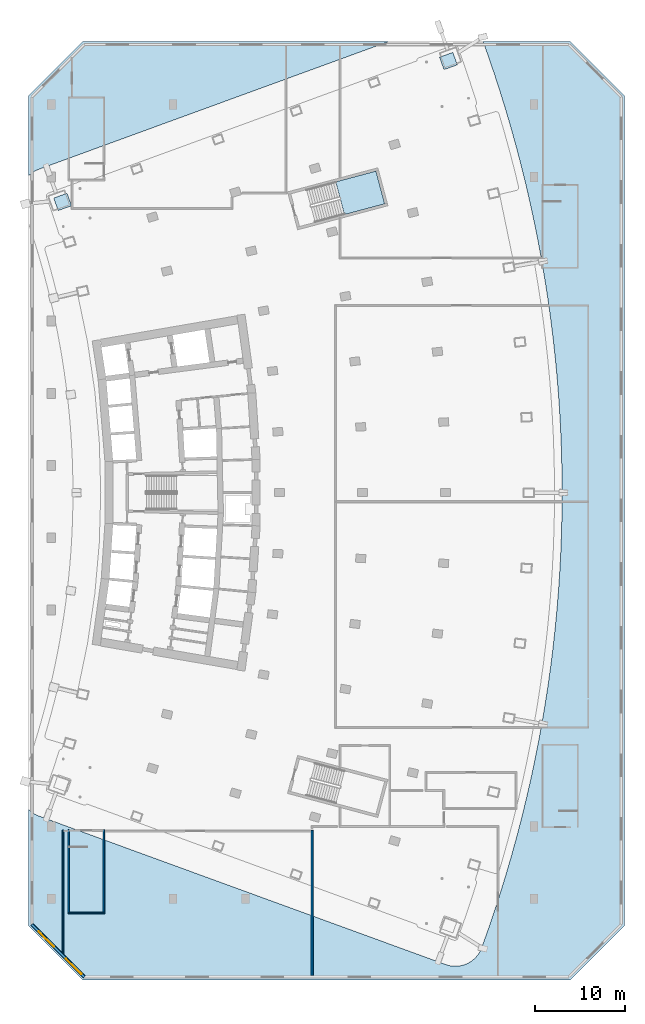
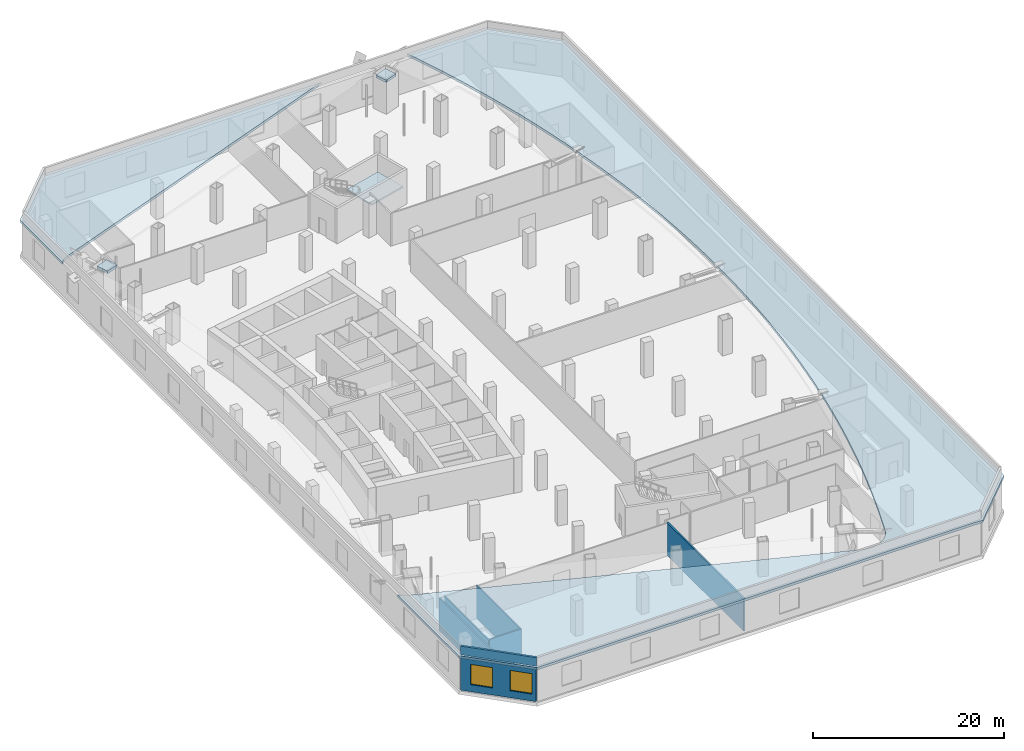
# One storey, part 11 of 19: 7 walls, 5 slabs, 2 windows, 2 openings, 1 element without a shape of its own.
"""IFC4 building model written with IfcOpenShell, lengths in metres."""

from ifc_helpers import new_model, si_unit, direction, frame, frame_2d, origin, place, context, subcontext, project, spatial, polyline, rectangle, outline, extrude, material, layer, layer_set, type_object, element, fill, aggregate, save


model = new_model("IFC4")

# Units and contexts
model_context = context("Model", 3, precision=1e-05, world=origin(), true_north=direction((0.0, 1.0)))
body_context = subcontext(model_context, "Body", "Model", "MODEL_VIEW")
ifc_project = project(units=[si_unit("LENGTHUNIT", "METRE"), si_unit("AREAUNIT", "SQUARE_METRE"), si_unit("VOLUMEUNIT", "CUBIC_METRE"), si_unit("PLANEANGLEUNIT", "RADIAN"), si_unit("MASSUNIT", "GRAM", prefix="KILO")], contexts=[model_context])

# Site, building, storey
site_placement = place(None, origin())
site = spatial("IfcSite", under=ifc_project, at=site_placement, CompositionType="ELEMENT")
building_placement = place(site_placement, origin())
building = spatial("IfcBuilding", under=site, at=building_placement, Name="Alderwake Tower", CompositionType="ELEMENT")
storey_placement = place(building_placement, frame((0.0, 0.0, 27.5)))
storey = spatial("IfcBuildingStorey", under=building, at=storey_placement, Name="L05", CompositionType="ELEMENT", Elevation=27.5)

# Slabs
ifc_material_1 = material(Name="Concrete C50/60", Category="concrete")
ifc_layer_1 = layer(ifc_material_1, 0.320068359375)
ifc_layer_set_1 = layer_set([ifc_layer_1], Name="Concrete C50/60 roof slab 320")
slab_type_1 = type_object("IfcSlabType", Name="Concrete C50/60 roof slab 320", PredefinedType="ROOF", material=ifc_layer_set_1)
slab_1_placement = place(storey_placement, frame((0.0, 0.0, 4.179931640625)))
element("IfcSlab", 1, at=slab_1_placement, inside=storey, type_object=slab_type_1, Name="Roof slab L05 1", PredefinedType="ROOF", context=body_context, shape_type="SweptSolid", body=[
    extrude(outline(polyline([(74.0, 105.0), (74.0, 13.0), (68.0, 7.0), (14.0, 7.0), (8.0, 13.0), (8.0, 25.882568359375), (8.08740234375, 25.79443359375), (8.320556640625, 25.601318359375), (8.571533203125, 25.431640625), (8.837890625, 25.287353515625), (9.11669921875, 25.169921875), (54.206787109375, 8.710693359375), (54.49853515625, 8.6201171875), (54.798095703125, 8.558837890625), (55.10205078125, 8.52734375), (55.40771484375, 8.52587890625), (55.7119140625, 8.554443359375), (56.011962890625, 8.61279296875), (56.3046875, 8.70068359375), (56.58740234375, 8.816650390625), (56.857421875, 8.960205078125), (57.11181640625, 9.12939453125), (57.348388671875, 9.322998046875), (57.564697265625, 9.538818359375), (57.7587890625, 9.77490234375), (57.9287109375, 10.029052734375), (58.072509765625, 10.298583984375), (58.189453125, 10.5810546875), (58.89501953125, 12.558837890625), (58.909912109375, 12.6015625), (59.586669921875, 14.589599609375), (59.60107421875, 14.63232421875), (60.248779296875, 16.6298828125), (60.26220703125, 16.673095703125), (60.880859375, 18.679931640625), (60.893798828125, 18.72314453125), (61.48291015625, 20.739013671875), (61.495361328125, 20.782470703125), (62.054931640625, 22.806396484375), (62.06689453125, 22.85009765625), (62.596923828125, 24.882080078125), (62.60791015625, 24.92578125), (63.1083984375, 26.96533203125), (63.118896484375, 27.00927734375), (63.589599609375, 29.055908203125), (63.599365234375, 29.10009765625), (64.0400390625, 31.1533203125), (64.04931640625, 31.197509765625), (64.4599609375, 33.2568359375), (64.468505859375, 33.30126953125), (64.849365234375, 35.366455078125), (64.857177734375, 35.410888671875), (65.207763671875, 37.4814453125), (65.21484375, 37.526123046875), (65.53515625, 39.6015625), (65.541748046875, 39.646240234375), (65.831787109375, 41.72607421875), (65.837646484375, 41.77099609375), (66.097412109375, 43.854736328125), (66.1025390625, 43.899658203125), (66.331787109375, 45.987060546875), (66.33642578125, 46.031982421875), (66.53515625, 48.122802734375), (66.5390625, 48.167724609375), (66.70751953125, 50.260986328125), (66.710693359375, 50.305908203125), (66.848388671875, 52.401611328125), (66.85107421875, 52.446533203125), (66.958251953125, 54.543701171875), (66.960205078125, 54.589111328125), (67.03662109375, 56.6875), (67.0380859375, 56.73291015625), (67.083984375, 58.832275390625), (67.084716796875, 58.87744140625), (67.099853515625, 60.977294921875), (67.099853515625, 61.022705078125), (67.084716796875, 63.12255859375), (67.083984375, 63.167724609375), (67.0380859375, 65.26708984375), (67.03662109375, 65.3125), (66.960205078125, 67.410888671875), (66.958251953125, 67.456298828125), (66.85107421875, 69.553466796875), (66.848388671875, 69.598388671875), (66.710693359375, 71.694091796875), (66.70751953125, 71.739013671875), (66.5390625, 73.832275390625), (66.53515625, 73.877197265625), (66.33642578125, 75.968017578125), (66.331787109375, 76.012939453125), (66.1025390625, 78.100341796875), (66.097412109375, 78.145263671875), (65.837646484375, 80.22900390625), (65.831787109375, 80.27392578125), (65.541748046875, 82.353759765625), (65.53515625, 82.3984375), (65.21484375, 84.473876953125), (65.207763671875, 84.5185546875), (64.857177734375, 86.589111328125), (64.849365234375, 86.633544921875), (64.468505859375, 88.69873046875), (64.4599609375, 88.7431640625), (64.04931640625, 90.802490234375), (64.0400390625, 90.8466796875), (63.599365234375, 92.89990234375), (63.589599609375, 92.944091796875), (63.118896484375, 94.99072265625), (63.1083984375, 95.03466796875), (62.60791015625, 97.07421875), (62.596923828125, 97.117919921875), (62.06689453125, 99.14990234375), (62.054931640625, 99.193603515625), (61.495361328125, 101.217529296875), (61.48291015625, 101.260986328125), (60.893798828125, 103.27685546875), (60.880859375, 103.320068359375), (60.26220703125, 105.326904296875), (60.248779296875, 105.3701171875), (59.60107421875, 107.36767578125), (59.586669921875, 107.410400390625), (58.909912109375, 109.3984375), (58.89501953125, 109.441162109375), (58.3388671875, 111.0), (68.0, 111.0), (74.0, 105.0)])), origin(), (0.0, 0.0, 1.0), 0.320068359375),
])
slab_2_placement = place(storey_placement, frame((0.0, 0.0, 4.179931640625)))
element("IfcSlab", 2, at=slab_2_placement, inside=storey, type_object=slab_type_1, Name="Roof slab L05 2", PredefinedType="ROOF", context=body_context, shape_type="SweptSolid", body=[
    extrude(outline(polyline([(14.0, 111.0), (47.93505859375, 111.0), (9.11669921875, 96.830078125), (8.837890625, 96.712646484375), (8.571533203125, 96.568359375), (8.320556640625, 96.398681640625), (8.08740234375, 96.20556640625), (8.0, 96.117431640625), (8.0, 105.0), (14.0, 111.0)])), origin(), (0.0, 0.0, 1.0), 0.320068359375),
])
slab_3_placement = place(storey_placement, frame((0.0, 0.0, 4.179931640625)))
element("IfcSlab", 3, at=slab_3_placement, inside=storey, type_object=slab_type_1, Name="Roof slab L05 6", PredefinedType="ROOF", context=body_context, shape_type="SweptSolid", body=[
    extrude(outline(polyline([(12.7001953125, 92.894287109375), (12.6962890625, 92.906982421875), (12.2451171875, 94.18017578125), (10.76708984375, 93.642578125), (11.083740234375, 92.75341796875), (11.08544921875, 92.74853515625), (11.2529296875, 92.2568359375), (12.616943359375, 92.740478515625), (12.62939453125, 92.74560546875), (12.640625, 92.75146484375), (12.651123046875, 92.758544921875), (12.6611328125, 92.7666015625), (12.670166015625, 92.775634765625), (12.67822265625, 92.785400390625), (12.685302734375, 92.7958984375), (12.69140625, 92.80712890625), (12.6962890625, 92.81884765625), (12.699951171875, 92.831298828125), (12.70263671875, 92.84375), (12.703857421875, 92.8564453125), (12.703857421875, 92.869140625), (12.70263671875, 92.8818359375), (12.7001953125, 92.894287109375)])), origin(), (0.0, 0.0, 1.0), 0.320068359375),
])
slab_4_placement = place(storey_placement, frame((0.0, 0.0, 4.179931640625)))
element("IfcSlab", 4, at=slab_4_placement, inside=storey, type_object=slab_type_1, Name="Roof slab L05 8", PredefinedType="ROOF", context=body_context, shape_type="SweptSolid", body=[
    extrude(outline(polyline([(54.123046875, 107.91357421875), (54.135498046875, 107.91748046875), (55.486328125, 108.40087890625), (54.99267578125, 109.78662109375), (53.52001953125, 109.250244140625), (53.96875, 107.996337890625), (53.973876953125, 107.98388671875), (53.979736328125, 107.972900390625), (53.98681640625, 107.96240234375), (53.9951171875, 107.952392578125), (54.004150390625, 107.943359375), (54.013916015625, 107.935302734375), (54.0244140625, 107.92822265625), (54.035888671875, 107.922119140625), (54.047607421875, 107.917236328125), (54.059814453125, 107.91357421875), (54.072265625, 107.9111328125), (54.0849609375, 107.909912109375), (54.09765625, 107.909912109375), (54.1103515625, 107.9111328125), (54.123046875, 107.91357421875)])), origin(), (0.0, 0.0, 1.0), 0.320068359375),
])

# Stair, slab
ifc_material_2 = material(Name="Concrete C40/50", Category="concrete")
stair_type = type_object("IfcStairType", Name="Core exit stair", PredefinedType="HALF_TURN_STAIR", material=ifc_material_2)
stair_placement = place(storey_placement, origin())
stair = element("IfcStair", 5, at=stair_placement, inside=storey, type_object=stair_type, Name="L05 Exit Stair A", PredefinedType="HALF_TURN_STAIR")
ifc_material_3 = material(Name="Concrete C40/50", Category="concrete")
ifc_layer_2 = layer(ifc_material_3, 0.199951171875)
ifc_layer_set_2 = layer_set([ifc_layer_2], Name="Core stair landing 200")
slab_type_2 = type_object("IfcSlabType", Name="Core stair landing 200", PredefinedType="LANDING", material=ifc_layer_set_2)
slab_5_placement = place(storey_placement, frame((0.0, 0.0, 2.050048828125)))
slab_5 = element("IfcSlab", 6, at=slab_5_placement, type_object=slab_type_2, Name="ST-A landing 1", PredefinedType="LANDING", context=body_context, shape_type="SweptSolid", body=[
    extrude(outline(polyline([(42.981689453125, 91.81640625), (47.436279296875, 93.003173828125), (46.47119140625, 96.626708984375), (42.0166015625, 95.440185546875), (42.981689453125, 91.81640625)])), origin(), (0.0, 0.0, 1.0), 0.199951171875),
])
aggregate(stair, [slab_5])

# Wall
ifc_material_4 = material(Name="Gypsum board on metal studs, rated")
ifc_layer_3 = layer(ifc_material_4, 0.159912109375)
ifc_layer_set_3 = layer_set([ifc_layer_3], Name="Corridor wall 160")
wall_type_1 = type_object("IfcWallType", Name="Corridor wall 160", PredefinedType="PARTITIONING", material=ifc_layer_set_3)
wall_1_placement = place(storey_placement, frame((11.799072265625, 9.906005859375, 0.0), z_axis=(0.0, 0.0, 1.0), x_axis=(0.0, 1.0, 0.0)))
element("IfcWall", 7, at=wall_1_placement, inside=storey, type_object=wall_type_1, Name="WL/L05/W22", PredefinedType="PARTITIONING", context=body_context, shape_type="SweptSolid", body=[
    extrude(rectangle(XDim=13.673095703125, YDim=0.159912109375, at=frame_2d((6.83642578125, 0.0))), origin(), (0.0, 0.0, 1.0), 4.179931640625),
])

# Wall, openings, windows
ifc_material_5 = material(Name="Precast concrete C50/60 spandrel panel", Category="concrete")
ifc_layer_4 = layer(ifc_material_5, 0.35009765625)
ifc_layer_set_4 = layer_set([ifc_layer_4], Name="External wall EW4 Precast concrete C50/60 podium")
wall_type_2 = type_object("IfcWallType", Name="External wall EW4 Precast concrete C50/60 podium", PredefinedType="SOLIDWALL", material=ifc_layer_set_4)
wall_2_placement = place(storey_placement, frame((8.35009765625, 13.14501953125, 0.0), z_axis=(0.0, 0.0, 1.0), x_axis=(0.707091913039, -0.707121649021, 0.0)))
wall_2 = element("IfcWall", 8, at=wall_2_placement, inside=storey, type_object=wall_type_2, Name="External wall 8", PredefinedType="SOLIDWALL", context=body_context, shape_type="SweptSolid", body=[
    extrude(rectangle(XDim=8.210205078125, YDim=0.35009765625, at=frame_2d((4.10498046875, 0.0))), origin(), (0.0, 0.0, 1.0), 4.179931640625),
])
opening_1_placement = place(wall_2_placement, frame((1.07470703125, 0.0, 0.89990234375)))
opening_1 = element("IfcOpeningElement", 9, at=opening_1_placement, cuts=wall_2, Name="Opening W6", PredefinedType="OPENING", context=body_context, shape_type="SweptSolid", body=[
    extrude(rectangle(XDim=2.39990234375, YDim=2.60009765625, at=frame_2d((1.199951171875, 1.300048828125))), frame((0.0, 0.18505859375, 0.0), z_axis=(0.0, -1.0, 0.0), x_axis=(1.0, 0.0, 0.0)), (0.0, 0.0, 1.0), 0.3701171875),
])
opening_2_placement = place(wall_2_placement, frame((5.359619140625, 0.0, 0.89990234375)))
opening_2 = element("IfcOpeningElement", 10, at=opening_2_placement, cuts=wall_2, Name="Opening W6", PredefinedType="OPENING", context=body_context, shape_type="SweptSolid", body=[
    extrude(rectangle(XDim=2.39990234375, YDim=2.60009765625, at=frame_2d((1.199951171875, 1.300048828125))), frame((0.0, 0.18505859375, 0.0), z_axis=(0.0, -1.0, 0.0), x_axis=(1.0, 0.0, 0.0)), (0.0, 0.0, 1.0), 0.3701171875),
])
ifc_material_6 = material(Name="Bronze tinted glass in aluminium frame", Category="aluminium")
window_type = type_object("IfcWindowType", Name="Window W6 podium", PartitioningType="DOUBLE_PANEL_VERTICAL", PredefinedType="WINDOW", material=ifc_material_6)
window_1_placement = place(opening_1_placement, origin())
window_1 = element("IfcWindow", 11, at=window_1_placement, inside=storey, type_object=window_type, Name="Window W6 podium", OverallHeight=2.60009765625, OverallWidth=2.39990234375, PartitioningType="DOUBLE_PANEL_VERTICAL", PredefinedType="WINDOW", context=body_context, shape_type="SweptSolid", body=[
    extrude(rectangle(XDim=2.39990234375, YDim=2.60009765625, at=frame_2d((1.199951171875, 1.300048828125))), frame((0.0, 0.030029296875, 0.0), z_axis=(0.0, -1.0, 0.0), x_axis=(1.0, 0.0, 0.0)), (0.0, 0.0, 1.0), 0.06005859375),
])
fill(opening_1, window_1)
window_2_placement = place(opening_2_placement, origin())
window_2 = element("IfcWindow", 12, at=window_2_placement, inside=storey, type_object=window_type, Name="Window W6 podium", OverallHeight=2.60009765625, OverallWidth=2.39990234375, PartitioningType="DOUBLE_PANEL_VERTICAL", PredefinedType="WINDOW", context=body_context, shape_type="SweptSolid", body=[
    extrude(rectangle(XDim=2.39990234375, YDim=2.60009765625, at=frame_2d((1.199951171875, 1.300048828125))), frame((0.0, 0.030029296875, 0.0), z_axis=(0.0, -1.0, 0.0), x_axis=(1.0, 0.0, 0.0)), (0.0, 0.0, 1.0), 0.06005859375),
])
fill(opening_2, window_2)

# Walls
ifc_material_7 = material(Name="Dense block masonry wall", Category="masonry")
ifc_layer_5 = layer(ifc_material_7, 0.199951171875)
ifc_layer_set_5 = layer_set([ifc_layer_5], Name="Party wall 200")
wall_type_3 = type_object("IfcWallType", Name="Party wall 200", PredefinedType="SOLIDWALL", material=ifc_layer_set_5)
wall_3_placement = place(storey_placement, frame((39.39892578125, 7.5, 0.0), z_axis=(0.0, 0.0, 1.0), x_axis=(0.0, 1.0, 0.0)))
element("IfcWall", 13, at=wall_3_placement, inside=storey, type_object=wall_type_3, Name="WL/L05/W01", PredefinedType="SOLIDWALL", context=body_context, shape_type="SweptSolid", body=[
    extrude(rectangle(XDim=16.0791015625, YDim=0.199951171875, at=frame_2d((8.03955078125, 0.0))), origin(), (0.0, 0.0, 1.0), 4.179931640625),
])
ifc_material_8 = material(Name="Gypsum shaft wall system, rated")
ifc_layer_6 = layer(ifc_material_8, 0.14990234375)
ifc_layer_set_6 = layer_set([ifc_layer_6], Name="Riser and shaft wall 150")
wall_type_4 = type_object("IfcWallType", Name="Riser and shaft wall 150", PredefinedType="PARTITIONING", material=ifc_layer_set_6)
wall_4_placement = place(storey_placement, frame((12.426025390625, 14.34912109375, 0.0), z_axis=(0.0, 0.0, 1.0), x_axis=(0.0, 1.0, 0.0)))
element("IfcWall", 14, at=wall_4_placement, inside=storey, type_object=wall_type_4, Name="WL/L05/W06", PredefinedType="PARTITIONING", context=body_context, shape_type="SweptSolid", body=[
    extrude(rectangle(XDim=9.2998046875, YDim=0.14990234375, at=frame_2d((4.64990234375, 0.0))), origin(), (0.0, 0.0, 1.0), 4.179931640625),
])
wall_5_placement = place(storey_placement, frame((12.5009765625, 14.424072265625, 0.0), z_axis=(0.0, 0.0, 1.0), x_axis=(1.0, 0.0, 0.0)))
element("IfcWall", 15, at=wall_5_placement, inside=storey, type_object=wall_type_4, Name="WL/L05/W07", PredefinedType="PARTITIONING", context=body_context, shape_type="SweptSolid", body=[
    extrude(rectangle(XDim=3.89990234375, YDim=0.14990234375, at=frame_2d((1.949951171875, 0.0))), origin(), (0.0, 0.0, 1.0), 4.179931640625),
])
wall_6_placement = place(storey_placement, frame((16.325927734375, 14.4990234375, 0.0), z_axis=(0.0, 0.0, 1.0), x_axis=(0.0, 1.0, 0.0)))
element("IfcWall", 16, at=wall_6_placement, inside=storey, type_object=wall_type_4, Name="WL/L05/W10", PredefinedType="PARTITIONING", context=body_context, shape_type="SweptSolid", body=[
    extrude(rectangle(XDim=9.14990234375, YDim=0.14990234375, at=frame_2d((4.574951171875, 0.0))), origin(), (0.0, 0.0, 1.0), 4.179931640625),
])
ifc_material_9 = material(Name="Precast concrete C50/60 spandrel panel", Category="concrete")
ifc_layer_7 = layer(ifc_material_9, 0.25)
ifc_layer_set_7 = layer_set([ifc_layer_7], Name="Roof parapet PA1 Precast concrete C50/60")
wall_type_5 = type_object("IfcWallType", Name="Roof parapet PA1 Precast concrete C50/60", PredefinedType="PARAPET", material=ifc_layer_set_7)
wall_7_placement = place(storey_placement, frame((8.35009765625, 13.14501953125, 4.5), z_axis=(0.0, 0.0, 1.0), x_axis=(0.707091913039, -0.707121649021, 0.0)))
element("IfcWall", 17, at=wall_7_placement, inside=storey, type_object=wall_type_5, Name="External wall 16", PredefinedType="PARAPET", context=body_context, shape_type="SweptSolid", body=[
    extrude(rectangle(XDim=8.210205078125, YDim=0.25, at=frame_2d((4.10498046875, 0.0))), origin(), (0.0, 0.0, 1.0), 1.10009765625),
])

save(model, "model.ifc")
